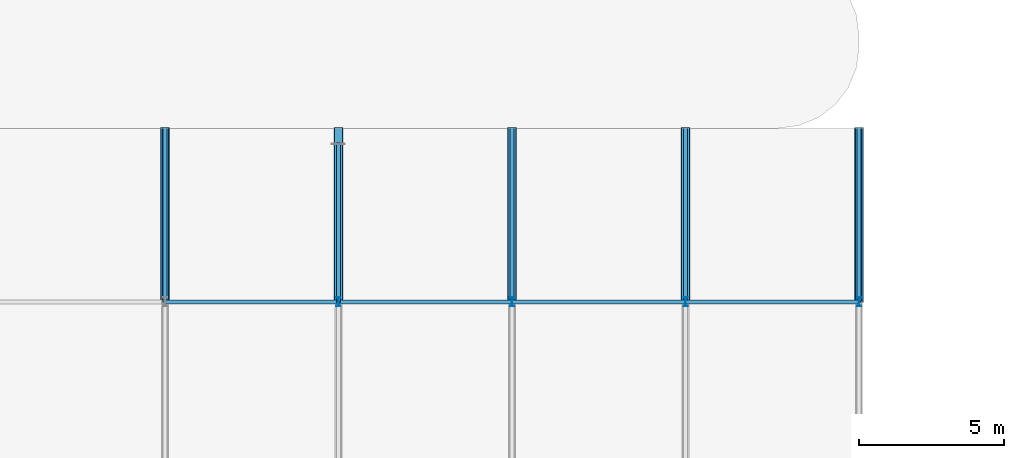
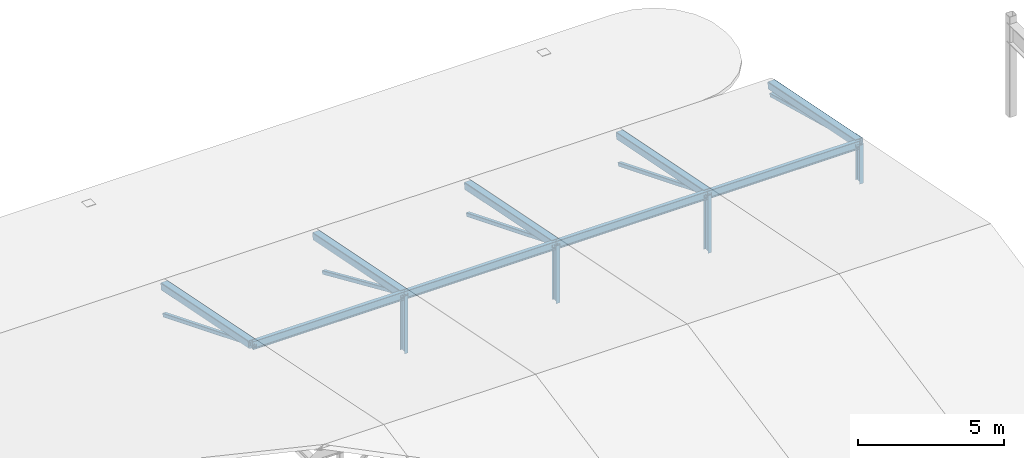
# One storey, part 40 of 83: 13 members, 5 beams.
"""IFC4 building model written with IfcOpenShell, lengths in metres."""

from ifc_helpers import new_model, si_unit, direction, frame, origin, origin_2d, place, context, subcontext, project, spatial, hollow_rectangle, i_section, extrude, material, material_profile, profile_set, type_object, element, save


model = new_model("IFC4")

# Units and contexts
model_context = context("Model", 3, precision=1e-05, world=origin(), true_north=direction((0.0, 1.0)))
body_context = subcontext(model_context, "Body", "Model", "MODEL_VIEW")
ifc_project = project(units=[si_unit("LENGTHUNIT", "METRE"), si_unit("AREAUNIT", "SQUARE_METRE"), si_unit("VOLUMEUNIT", "CUBIC_METRE"), si_unit("PLANEANGLEUNIT", "RADIAN"), si_unit("MASSUNIT", "GRAM", prefix="KILO")], contexts=[model_context])

# Site, building, storey
site_placement = place(None, origin())
site = spatial("IfcSite", under=ifc_project, at=site_placement, CompositionType="ELEMENT")
building_placement = place(site_placement, origin())
building = spatial("IfcBuilding", under=site, at=building_placement, Name="Varnakota Square Police Headquarters", CompositionType="ELEMENT")
storey_placement = place(building_placement, frame((0.0, 0.0, 18.0)))
storey = spatial("IfcBuildingStorey", under=building, at=storey_placement, Name="L04", CompositionType="ELEMENT", Elevation=18.0)

# Beams
ifc_material = material(Name="Steel IS 2062 Grade 350", Category="steel")
ifc_material_profile_1 = material_profile(ifc_material, hollow_rectangle(XDim=0.300048828125, YDim=0.300048828125, WallThickness=0.01611328125, InnerFilletRadius=0.01611328125, OuterFilletRadius=0.031982421875, at=origin_2d()), Name="SHS 300x300x16")
ifc_profile_set_1 = profile_set([ifc_material_profile_1], Name="Steel IS 2062 Grade 350")
beam_type = type_object("IfcBeamType", Name="BM-TR-SHS300", PredefinedType="BEAM", material=ifc_profile_set_1)
for number, where, z_axis, x_axis, name in (
    (1, (30.0, 99.0, 0.919921875), (0.0, 0.980582210276, -0.196108462057), (-1.0, 0.0, 0.0), "ROOF TRUSS top chord T4-P6"),
    (2, (36.0, 99.0, 0.919921875), (0.0, 0.980582210276, -0.196108462057), (-1.0, 0.0, 0.0), "ROOF TRUSS top chord T5-P6"),
    (3, (42.0, 99.0, 0.919921875), (0.0, 0.980582210276, -0.196108462057), (-1.0, 0.0, 0.0), "ROOF TRUSS top chord T6-P6"),
    (4, (48.0, 99.0, 0.919921875), (0.0, 0.980582210276, -0.196108462057), (-1.0, 0.0, 0.0), "ROOF TRUSS top chord T7-P6"),
    (5, (54.0, 99.0, 0.919921875), (0.0, 0.980582210276, -0.196108462057), (-1.0, 0.0, 0.0), "ROOF TRUSS top chord T8-P6"),
):
    element("IfcBeam", number, at=place(storey_placement, frame(where, z_axis=z_axis, x_axis=x_axis)), inside=storey, type_object=beam_type, Name=name, PredefinedType="BEAM", context=body_context, shape_type="SweptSolid", body=[
        extrude(hollow_rectangle(XDim=0.300048828125, YDim=0.300048828125, WallThickness=0.01611328125, InnerFilletRadius=0.01611328125, OuterFilletRadius=0.031982421875, at=origin_2d()), origin(), (0.0, 0.0, 1.0), 6.118896484375),
    ])

# Members
ifc_material_profile_2 = material_profile(ifc_material, hollow_rectangle(XDim=0.14990234375, YDim=0.14990234375, WallThickness=0.008056640625, InnerFilletRadius=0.008056640625, OuterFilletRadius=0.01611328125, at=origin_2d()), Name="SHS 150x150x8")
ifc_profile_set_2 = profile_set([ifc_material_profile_2], Name="Steel IS 2062 Grade 350")
member_type_1 = type_object("IfcMemberType", Name="MEM-BR-SHS150", PredefinedType="BRACE", material=ifc_profile_set_2)
member_1_placement = place(storey_placement, frame((30.0, 99.0, 0.919921875), z_axis=(0.0, 0.927411070394, -0.374043722727), x_axis=(-1.0, 0.0, 0.0)))
element("IfcMember", 6, at=member_1_placement, inside=storey, type_object=member_type_1, Name="ROOF TRUSS diagonal web T4-P6", PredefinedType="BRACE", context=body_context, shape_type="SweptSolid", body=[
    extrude(hollow_rectangle(XDim=0.14990234375, YDim=0.14990234375, WallThickness=0.008056640625, InnerFilletRadius=0.008056640625, OuterFilletRadius=0.01611328125, at=origin_2d()), origin(), (0.0, 0.0, 1.0), 6.4697265625),
])
member_2_placement = place(storey_placement, frame((36.0, 99.0, 0.919921875), z_axis=(0.0, 0.914776978899, -0.403959253981), x_axis=(-1.0, 0.0, 0.0)))
element("IfcMember", 7, at=member_2_placement, inside=storey, type_object=member_type_1, Name="ROOF TRUSS diagonal web T5-P6", PredefinedType="BRACE", context=body_context, shape_type="SweptSolid", body=[
    extrude(hollow_rectangle(XDim=0.14990234375, YDim=0.14990234375, WallThickness=0.008056640625, InnerFilletRadius=0.008056640625, OuterFilletRadius=0.01611328125, at=origin_2d()), origin(), (0.0, 0.0, 1.0), 5.990478515625),
])
for number, where, z_axis, x_axis, name in (
    (8, (42.0, 99.0, 0.919921875), (0.0, 0.927411070394, -0.374043722727), (-1.0, 0.0, 0.0), "ROOF TRUSS diagonal web T6-P6"),
    (9, (48.0, 99.0, 0.919921875), (0.0, 0.927411070394, -0.374043722727), (-1.0, 0.0, 0.0), "ROOF TRUSS diagonal web T7-P6"),
):
    element("IfcMember", number, at=place(storey_placement, frame(where, z_axis=z_axis, x_axis=x_axis)), inside=storey, type_object=member_type_1, Name=name, PredefinedType="BRACE", context=body_context, shape_type="SweptSolid", body=[
        extrude(hollow_rectangle(XDim=0.14990234375, YDim=0.14990234375, WallThickness=0.008056640625, InnerFilletRadius=0.008056640625, OuterFilletRadius=0.01611328125, at=origin_2d()), origin(), (0.0, 0.0, 1.0), 6.4697265625),
    ])
member_3_placement = place(storey_placement, frame((54.0, 99.0, 0.919921875), z_axis=(0.0, 0.965434223036, -0.260646812738), x_axis=(-1.0, 0.0, 0.0)))
element("IfcMember", 10, at=member_3_placement, inside=storey, type_object=member_type_1, Name="ROOF TRUSS diagonal web T8-P6", PredefinedType="BRACE", context=body_context, shape_type="SweptSolid", body=[
    extrude(hollow_rectangle(XDim=0.14990234375, YDim=0.14990234375, WallThickness=0.008056640625, InnerFilletRadius=0.008056640625, OuterFilletRadius=0.01611328125, at=origin_2d()), origin(), (0.0, 0.0, 1.0), 6.21484375),
])
ifc_material_profile_3 = material_profile(ifc_material, i_section(OverallWidth=0.139892578125, OverallDepth=0.35009765625, WebThickness=0.008056640625, FlangeThickness=0.01416015625, FilletRadius=0.013916015625, at=origin_2d()), Name="ISMB 350")
ifc_profile_set_3 = profile_set([ifc_material_profile_3], Name="Steel IS 2062 Grade 350")
member_type_2 = type_object("IfcMemberType", Name="MEM-PUR-ISMB350", PredefinedType="PURLIN", material=ifc_profile_set_3)
for number, where, z_axis, x_axis, name in (
    (11, (30.0, 99.0, 0.875), (1.0, 0.0, 0.0), (0.0, 1.0, 0.0), "Tactical hall purlin B4-Y99"),
    (12, (36.0, 99.0, 0.875), (1.0, 0.0, 0.0), (0.0, 1.0, 0.0), "Tactical hall purlin B5-Y99"),
    (13, (42.0, 99.0, 0.875), (1.0, 0.0, 0.0), (0.0, 1.0, 0.0), "Tactical hall purlin B6-Y99"),
    (14, (48.0, 99.0, 0.875), (1.0, 0.0, 0.0), (0.0, 1.0, 0.0), "Tactical hall purlin B7-Y99"),
):
    element("IfcMember", number, at=place(storey_placement, frame(where, z_axis=z_axis, x_axis=x_axis)), inside=storey, type_object=member_type_2, Name=name, PredefinedType="PURLIN", context=body_context, shape_type="SweptSolid", body=[
        extrude(i_section(OverallWidth=0.139892578125, OverallDepth=0.35009765625, WebThickness=0.008056640625, FlangeThickness=0.01416015625, FilletRadius=0.013916015625, at=origin_2d()), origin(), (0.0, 0.0, 1.0), 6.0),
    ])
ifc_material_profile_4 = material_profile(ifc_material, i_section(OverallWidth=0.139892578125, OverallDepth=0.300048828125, WebThickness=0.0078125, FlangeThickness=0.01318359375, FilletRadius=0.013916015625, at=origin_2d()), Name="ISMB 300")
ifc_profile_set_4 = profile_set([ifc_material_profile_4], Name="Steel IS 2062 Grade 350")
member_type_3 = type_object("IfcMemberType", Name="MEM-STR-ISMB300", PredefinedType="STRUT", material=ifc_profile_set_4)
for number, where, z_axis, x_axis, name in (
    (15, (36.0, 99.0, -1.5), (0.0, 0.0, 1.0), (1.0, 0.0, 0.0), "ROOF TRUSS vertical strut T5-V5"),
    (16, (42.0, 99.0, -1.5), (0.0, 0.0, 1.0), (1.0, 0.0, 0.0), "ROOF TRUSS vertical strut T6-V5"),
    (17, (48.0, 99.0, -1.5), (0.0, 0.0, 1.0), (1.0, 0.0, 0.0), "ROOF TRUSS vertical strut T7-V5"),
):
    element("IfcMember", number, at=place(storey_placement, frame(where, z_axis=z_axis, x_axis=x_axis)), inside=storey, type_object=member_type_3, Name=name, PredefinedType="STRUT", context=body_context, shape_type="SweptSolid", body=[
        extrude(i_section(OverallWidth=0.139892578125, OverallDepth=0.300048828125, WebThickness=0.0078125, FlangeThickness=0.01318359375, FilletRadius=0.013916015625, at=origin_2d()), origin(), (0.0, 0.0, 1.0), 2.419921875),
    ])
member_4_placement = place(storey_placement, frame((54.0, 99.0, -0.699951171875), z_axis=(0.0, 0.0, 1.0), x_axis=(1.0, 0.0, 0.0)))
element("IfcMember", 18, at=member_4_placement, inside=storey, type_object=member_type_3, Name="ROOF TRUSS vertical strut T8-V5", PredefinedType="STRUT", context=body_context, shape_type="SweptSolid", body=[
    extrude(i_section(OverallWidth=0.139892578125, OverallDepth=0.300048828125, WebThickness=0.0078125, FlangeThickness=0.01318359375, FilletRadius=0.013916015625, at=origin_2d()), origin(), (0.0, 0.0, 1.0), 1.619873046875),
])

save(model, "model.ifc")
